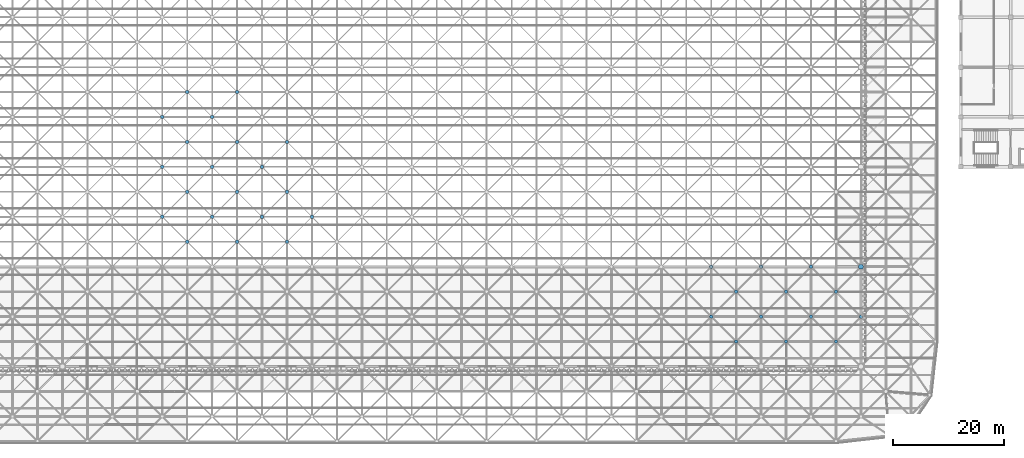
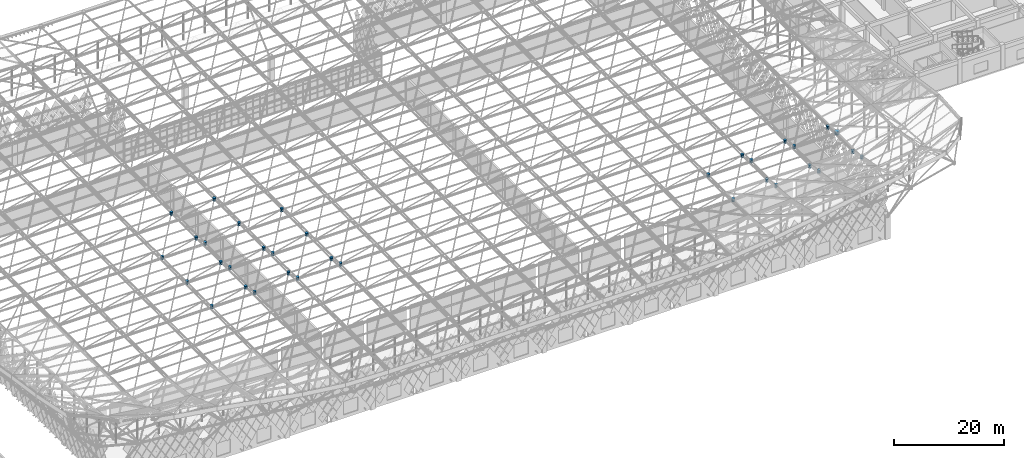
# One storey, part 308 of 437: 34 discrete accessories.
"""IFC4 building model written with IfcOpenShell, lengths in metres."""

import ifcopenshell
import ifcopenshell.guid

model = None  # the IFC model being written
_history = None  # IfcOwnerHistory: only IFC2X3 demands one
_inside = {}  # id of a spatial element -> (the spatial element, [elements in it])
_under = {}  # id of a project, library or spatial element -> (it, [spatial elements below it])
_declared = {}  # id of a project -> (the project, [libraries it declares])
_typed = {}  # id of a type object -> (the type object, [elements of that type])
_made_of = {}  # id of a material, layer set ... -> (it, [elements and type objects made of it])


def new_model(schema):
    """Start an empty IFC model of exactly this schema.

    Asked for "IFC4X3", IfcOpenShell would pick the latest addendum, in which some entities
    have other attributes; the version numbers below select the first issue.
    IFC2X3 requires an IfcOwnerHistory on every rooted entity: one is made here for all.
    """
    global model, _history
    if schema == "IFC4X3":
        model = ifcopenshell.file(schema_version=(4, 3, 0, 0))
    else:
        model = ifcopenshell.file(schema=schema)
    _inside.clear()
    _under.clear()
    _declared.clear()
    _typed.clear()
    _made_of.clear()
    _history = None
    if model.schema == "IFC2X3":
        org = make("IfcOrganization", Name="unknown")
        user = make(
            "IfcPersonAndOrganization",
            ThePerson=make("IfcPerson", FamilyName="unknown"),
            TheOrganization=org,
        )
        app = make(
            "IfcApplication",
            ApplicationDeveloper=org,
            Version="unknown",
            ApplicationFullName="unknown",
            ApplicationIdentifier="unknown",
        )
        _history = make(
            "IfcOwnerHistory",
            OwningUser=user,
            OwningApplication=app,
            ChangeAction="ADDED",
            CreationDate=0,
        )
    return model


def make(cls, **values):
    """One entity of the class cls with the attributes given. An attribute that is None is left unset."""
    return model.create_entity(
        cls, **{name: value for name, value in values.items() if value is not None}
    )


def rooted(cls, **values):
    """An entity with a GlobalId (a new one), such as an element, a storey or a relation."""
    return make(cls, GlobalId=ifcopenshell.guid.new(), OwnerHistory=_history, **values)


def si_unit(unit_type, name, prefix=None):
    """IfcSIUnit, for example si_unit("LENGTHUNIT", "METRE", prefix="MILLI")."""
    return make("IfcSIUnit", UnitType=unit_type, Prefix=prefix, Name=name)


def assignment(units):
    """IfcUnitAssignment: the units of a project."""
    return None if units is None else make("IfcUnitAssignment", Units=units)


def point(xyz):
    """IfcCartesianPoint."""
    return None if xyz is None else make("IfcCartesianPoint", Coordinates=xyz)


def direction(xyz):
    """IfcDirection."""
    return None if xyz is None else make("IfcDirection", DirectionRatios=xyz)


def frame(location, z_axis=None, x_axis=None):
    """IfcAxis2Placement3D, a coordinate frame: its origin and axes. An axis left out is left unset."""
    return make(
        "IfcAxis2Placement3D",
        Location=point(location),
        Axis=direction(z_axis),
        RefDirection=direction(x_axis),
    )


def origin():
    """The frame at (0, 0, 0) with its axes left unset."""
    return frame((0.0, 0.0, 0.0))


def place(relative_to, where):
    """IfcLocalPlacement: puts the frame where relative to a parent placement (None: the world)."""
    return make(
        "IfcLocalPlacement", PlacementRelTo=relative_to, RelativePlacement=where
    )


def context(
    kind, dimensions, precision=None, world=None, true_north=None, identifier=None
):
    """IfcGeometricRepresentationContext, for example the 3D "Model" context."""
    return make(
        "IfcGeometricRepresentationContext",
        ContextIdentifier=identifier,
        ContextType=kind,
        CoordinateSpaceDimension=dimensions,
        Precision=precision,
        WorldCoordinateSystem=world,
        TrueNorth=true_north,
    )


def subcontext(parent, identifier, kind, view, scale=None):
    """IfcGeometricRepresentationSubContext, for example "Body" below "Model"."""
    return make(
        "IfcGeometricRepresentationSubContext",
        ContextIdentifier=identifier,
        ContextType=kind,
        ParentContext=parent,
        TargetScale=scale,
        TargetView=view,
    )


def project(units=None, contexts=None):
    """IfcProject with its units and contexts."""
    return rooted(
        "IfcProject",
        Name="project",
        RepresentationContexts=contexts,
        UnitsInContext=assignment(units),
    )


def spatial(cls, under=None, at=None, **own):
    """A site, building, storey or space (cls), placed at a placement, below another one or the project."""
    s = rooted(cls, ObjectPlacement=at, **own)
    if under is not None:
        _under.setdefault(under.id(), (under, []))[1].append(s)
    return s


def polyline(points):
    """IfcPolyline through the points."""
    return make("IfcPolyline", Points=[point(p) for p in points])


def outline(outer, holes=None, kind="AREA"):
    """IfcArbitraryClosedProfileDef: a profile drawn as a closed curve; with holes, ...WithVoids."""
    if holes is None:
        return make("IfcArbitraryClosedProfileDef", ProfileType=kind, OuterCurve=outer)
    return make(
        "IfcArbitraryProfileDefWithVoids",
        ProfileType=kind,
        OuterCurve=outer,
        InnerCurves=holes,
    )


def extrude(swept, where, along, depth):
    """IfcExtrudedAreaSolid: the profile swept, set in the frame where, extruded along a direction by depth."""
    return make(
        "IfcExtrudedAreaSolid",
        SweptArea=swept,
        Position=where,
        ExtrudedDirection=direction(along),
        Depth=depth,
    )


def shape(context_of_items, identifier, shape_type, items):
    """IfcShapeRepresentation: the items that make up one representation, for example the "Body"."""
    return make(
        "IfcShapeRepresentation",
        ContextOfItems=context_of_items,
        RepresentationIdentifier=identifier,
        RepresentationType=shape_type,
        Items=items,
    )


def material(Name=None, Category=None):
    """IfcMaterial."""
    return make("IfcMaterial", Name=Name, Category=Category)


def made_of(thing, what):
    """Note that an element or type object is made of a material, layer set ...; save() writes the relation."""
    if what is not None:
        _made_of.setdefault(what.id(), (what, []))[1].append(thing)
    return thing


def type_object(cls, material=None, **own):
    """A type object (cls), such as IfcWallType, which elements share."""
    return made_of(rooted(cls, **own), material)


def element(
    cls,
    number,
    at=None,
    inside=None,
    cuts=None,
    type_object=None,
    material=None,
    context=None,
    identifier="Body",
    shape_type=None,
    held_by="IfcProductDefinitionShape",
    body=None,
    shapes=None,
    **own,
):
    """One element of the class cls, such as IfcWall. Its Tag is "e" and its number.

    at: its placement. inside: the storey or other place that contains it. cuts: it is an
    opening in that element (IfcRelVoidsElement). A single representation is given by context,
    identifier, shape_type and body (its items); several are given by shapes. held_by: the class
    of the entity that holds the representations. save() writes the other relations.
    """
    e = rooted(cls, Tag="e%d" % number, ObjectPlacement=at, **own)
    if body is not None:
        shapes = [shape(context, identifier, shape_type, body)]
    if shapes is not None:
        e.Representation = make(held_by, Representations=shapes)
    if inside is not None:
        _inside.setdefault(inside.id(), (inside, []))[1].append(e)
    if cuts is not None:
        rooted(
            "IfcRelVoidsElement", RelatingBuildingElement=cuts, RelatedOpeningElement=e
        )
    if type_object is not None:
        _typed.setdefault(type_object.id(), (type_object, []))[1].append(e)
    return made_of(e, material)


def aggregate(whole, parts):
    """IfcRelAggregates: a whole, such as a stair, and the parts it consists of."""
    return rooted("IfcRelAggregates", RelatingObject=whole, RelatedObjects=parts)


def save(model, path):
    """Write the relations noted so far, then the file.

    IfcRelAggregates (storeys below a building ...), IfcRelContainedInSpatialStructure (elements
    in a storey), IfcRelDefinesByType, IfcRelAssociatesMaterial and IfcRelDeclares: one each for
    every whole, place, type object, material and project.
    """
    for whole, parts in _under.values():
        aggregate(whole, parts)
    for where, things in _inside.values():
        rooted(
            "IfcRelContainedInSpatialStructure",
            RelatedElements=things,
            RelatingStructure=where,
        )
    for kind, things in _typed.values():
        rooted("IfcRelDefinesByType", RelatedObjects=things, RelatingType=kind)
    for what, things in _made_of.values():
        rooted("IfcRelAssociatesMaterial", RelatedObjects=things, RelatingMaterial=what)
    for by, libraries in _declared.values():
        rooted("IfcRelDeclares", RelatingContext=by, RelatedDefinitions=libraries)
    model.write(path)


model = new_model("IFC4")

# Units and contexts
model_context = context("Model", 3, precision=1e-05, world=origin(), true_north=direction((0.0, 1.0)))
body_context = subcontext(model_context, "Body", "Model", "MODEL_VIEW")
ifc_project = project(units=[si_unit("LENGTHUNIT", "METRE"), si_unit("AREAUNIT", "SQUARE_METRE"), si_unit("VOLUMEUNIT", "CUBIC_METRE"), si_unit("PLANEANGLEUNIT", "RADIAN"), si_unit("MASSUNIT", "GRAM", prefix="KILO")], contexts=[model_context])

# Site, building, storey
site_placement = place(None, origin())
site = spatial("IfcSite", under=ifc_project, at=site_placement, CompositionType="ELEMENT")
building_placement = place(site_placement, origin())
building = spatial("IfcBuilding", under=site, at=building_placement, Name="Opaline Strait Convention Centre", CompositionType="ELEMENT")
storey_placement = place(building_placement, frame((0.0, 0.0, 11.5)))
storey = spatial("IfcBuildingStorey", under=building, at=storey_placement, Name="L02", CompositionType="ELEMENT", Elevation=11.5)

# Discrete accessories
ifc_material = material(Name="Cast steel ZG300-500H (300 MPa)", Category="steel")
discrete_accessory_type_1 = type_object("IfcDiscreteAccessoryType", Name="Space frame bearing node hub D900", PredefinedType="USERDEFINED", material=ifc_material)
discrete_accessory_1_placement = place(storey_placement, frame((0.0, 0.0, 12.139892578125)))
element("IfcDiscreteAccessory", 1, at=discrete_accessory_1_placement, inside=storey, type_object=discrete_accessory_type_1, Name="Bottom node 20/4", ObjectType="NODE HUB", PredefinedType="USERDEFINED", context=body_context, shape_type="SweptSolid", body=[
    extrude(outline(polyline([(261.449951171875, 72.089599609375), (261.381591796875, 72.2548828125), (261.2548828125, 72.381591796875), (261.089599609375, 72.449951171875), (260.910400390625, 72.449951171875), (260.7451171875, 72.381591796875), (260.618408203125, 72.2548828125), (260.550048828125, 72.089599609375), (260.550048828125, 71.910400390625), (260.618408203125, 71.7451171875), (260.7451171875, 71.618408203125), (260.910400390625, 71.550048828125), (261.089599609375, 71.550048828125), (261.2548828125, 71.618408203125), (261.381591796875, 71.7451171875), (261.449951171875, 71.910400390625), (261.449951171875, 72.089599609375)])), origin(), (0.0, 0.0, 1.0), 0.72021484375),
])
discrete_accessory_type_2 = type_object("IfcDiscreteAccessoryType", Name="Space frame node hub D600", PredefinedType="USERDEFINED", material=ifc_material)
discrete_accessory_2_placement = place(storey_placement, frame((0.0, 0.0, 17.611572265625)))
element("IfcDiscreteAccessory", 2, at=discrete_accessory_2_placement, inside=storey, type_object=discrete_accessory_type_2, Name="Top node 7/5", ObjectType="NODE HUB", PredefinedType="USERDEFINED", context=body_context, shape_type="SweptSolid", body=[
    extrude(outline(polyline([(139.800048828125, 76.559814453125), (139.75439453125, 76.669921875), (139.669921875, 76.75439453125), (139.559814453125, 76.800048828125), (139.440185546875, 76.800048828125), (139.330078125, 76.75439453125), (139.24560546875, 76.669921875), (139.199951171875, 76.559814453125), (139.199951171875, 76.440185546875), (139.24560546875, 76.330078125), (139.330078125, 76.24560546875), (139.440185546875, 76.199951171875), (139.559814453125, 76.199951171875), (139.669921875, 76.24560546875), (139.75439453125, 76.330078125), (139.800048828125, 76.440185546875), (139.800048828125, 76.559814453125)])), origin(), (0.0, 0.0, 1.0), 0.719970703125),
])
discrete_accessory_3_placement = place(storey_placement, frame((0.0, 0.0, 17.611572265625)))
element("IfcDiscreteAccessory", 3, at=discrete_accessory_3_placement, inside=storey, type_object=discrete_accessory_type_2, Name="Top node 7/6", ObjectType="NODE HUB", PredefinedType="USERDEFINED", context=body_context, shape_type="SweptSolid", body=[
    extrude(outline(polyline([(139.800048828125, 85.559814453125), (139.75439453125, 85.669921875), (139.669921875, 85.75439453125), (139.559814453125, 85.800048828125), (139.440185546875, 85.800048828125), (139.330078125, 85.75439453125), (139.24560546875, 85.669921875), (139.199951171875, 85.559814453125), (139.199951171875, 85.440185546875), (139.24560546875, 85.330078125), (139.330078125, 85.24560546875), (139.440185546875, 85.199951171875), (139.559814453125, 85.199951171875), (139.669921875, 85.24560546875), (139.75439453125, 85.330078125), (139.800048828125, 85.440185546875), (139.800048828125, 85.559814453125)])), origin(), (0.0, 0.0, 1.0), 0.719970703125),
])
discrete_accessory_4_placement = place(storey_placement, frame((0.0, 0.0, 17.611572265625)))
element("IfcDiscreteAccessory", 4, at=discrete_accessory_4_placement, inside=storey, type_object=discrete_accessory_type_2, Name="Top node 7/7", ObjectType="NODE HUB", PredefinedType="USERDEFINED", context=body_context, shape_type="SweptSolid", body=[
    extrude(outline(polyline([(139.800048828125, 94.559814453125), (139.75439453125, 94.669921875), (139.669921875, 94.75439453125), (139.559814453125, 94.800048828125), (139.440185546875, 94.800048828125), (139.330078125, 94.75439453125), (139.24560546875, 94.669921875), (139.199951171875, 94.559814453125), (139.199951171875, 94.440185546875), (139.24560546875, 94.330078125), (139.330078125, 94.24560546875), (139.440185546875, 94.199951171875), (139.559814453125, 94.199951171875), (139.669921875, 94.24560546875), (139.75439453125, 94.330078125), (139.800048828125, 94.440185546875), (139.800048828125, 94.559814453125)])), origin(), (0.0, 0.0, 1.0), 0.719970703125),
])
discrete_accessory_5_placement = place(storey_placement, frame((0.0, 0.0, 17.611572265625)))
element("IfcDiscreteAccessory", 5, at=discrete_accessory_5_placement, inside=storey, type_object=discrete_accessory_type_2, Name="Top node 7/8", ObjectType="NODE HUB", PredefinedType="USERDEFINED", context=body_context, shape_type="SweptSolid", body=[
    extrude(outline(polyline([(139.800048828125, 103.559814453125), (139.75439453125, 103.669921875), (139.669921875, 103.75439453125), (139.559814453125, 103.800048828125), (139.440185546875, 103.800048828125), (139.330078125, 103.75439453125), (139.24560546875, 103.669921875), (139.199951171875, 103.559814453125), (139.199951171875, 103.440185546875), (139.24560546875, 103.330078125), (139.330078125, 103.24560546875), (139.440185546875, 103.199951171875), (139.559814453125, 103.199951171875), (139.669921875, 103.24560546875), (139.75439453125, 103.330078125), (139.800048828125, 103.440185546875), (139.800048828125, 103.559814453125)])), origin(), (0.0, 0.0, 1.0), 0.719970703125),
])
discrete_accessory_6_placement = place(storey_placement, frame((0.0, 0.0, 17.611572265625)))
element("IfcDiscreteAccessory", 6, at=discrete_accessory_6_placement, inside=storey, type_object=discrete_accessory_type_2, Name="Top node 8/5", ObjectType="NODE HUB", PredefinedType="USERDEFINED", context=body_context, shape_type="SweptSolid", body=[
    extrude(outline(polyline([(148.800048828125, 76.559814453125), (148.75439453125, 76.669921875), (148.669921875, 76.75439453125), (148.559814453125, 76.800048828125), (148.440185546875, 76.800048828125), (148.330078125, 76.75439453125), (148.24560546875, 76.669921875), (148.199951171875, 76.559814453125), (148.199951171875, 76.440185546875), (148.24560546875, 76.330078125), (148.330078125, 76.24560546875), (148.440185546875, 76.199951171875), (148.559814453125, 76.199951171875), (148.669921875, 76.24560546875), (148.75439453125, 76.330078125), (148.800048828125, 76.440185546875), (148.800048828125, 76.559814453125)])), origin(), (0.0, 0.0, 1.0), 0.719970703125),
])
discrete_accessory_7_placement = place(storey_placement, frame((0.0, 0.0, 17.611572265625)))
element("IfcDiscreteAccessory", 7, at=discrete_accessory_7_placement, inside=storey, type_object=discrete_accessory_type_2, Name="Top node 8/6", ObjectType="NODE HUB", PredefinedType="USERDEFINED", context=body_context, shape_type="SweptSolid", body=[
    extrude(outline(polyline([(148.800048828125, 85.559814453125), (148.75439453125, 85.669921875), (148.669921875, 85.75439453125), (148.559814453125, 85.800048828125), (148.440185546875, 85.800048828125), (148.330078125, 85.75439453125), (148.24560546875, 85.669921875), (148.199951171875, 85.559814453125), (148.199951171875, 85.440185546875), (148.24560546875, 85.330078125), (148.330078125, 85.24560546875), (148.440185546875, 85.199951171875), (148.559814453125, 85.199951171875), (148.669921875, 85.24560546875), (148.75439453125, 85.330078125), (148.800048828125, 85.440185546875), (148.800048828125, 85.559814453125)])), origin(), (0.0, 0.0, 1.0), 0.719970703125),
])
discrete_accessory_8_placement = place(storey_placement, frame((0.0, 0.0, 17.611572265625)))
element("IfcDiscreteAccessory", 8, at=discrete_accessory_8_placement, inside=storey, type_object=discrete_accessory_type_2, Name="Top node 8/7", ObjectType="NODE HUB", PredefinedType="USERDEFINED", context=body_context, shape_type="SweptSolid", body=[
    extrude(outline(polyline([(148.800048828125, 94.559814453125), (148.75439453125, 94.669921875), (148.669921875, 94.75439453125), (148.559814453125, 94.800048828125), (148.440185546875, 94.800048828125), (148.330078125, 94.75439453125), (148.24560546875, 94.669921875), (148.199951171875, 94.559814453125), (148.199951171875, 94.440185546875), (148.24560546875, 94.330078125), (148.330078125, 94.24560546875), (148.440185546875, 94.199951171875), (148.559814453125, 94.199951171875), (148.669921875, 94.24560546875), (148.75439453125, 94.330078125), (148.800048828125, 94.440185546875), (148.800048828125, 94.559814453125)])), origin(), (0.0, 0.0, 1.0), 0.719970703125),
])
discrete_accessory_9_placement = place(storey_placement, frame((0.0, 0.0, 17.611572265625)))
element("IfcDiscreteAccessory", 9, at=discrete_accessory_9_placement, inside=storey, type_object=discrete_accessory_type_2, Name="Top node 8/8", ObjectType="NODE HUB", PredefinedType="USERDEFINED", context=body_context, shape_type="SweptSolid", body=[
    extrude(outline(polyline([(148.800048828125, 103.559814453125), (148.75439453125, 103.669921875), (148.669921875, 103.75439453125), (148.559814453125, 103.800048828125), (148.440185546875, 103.800048828125), (148.330078125, 103.75439453125), (148.24560546875, 103.669921875), (148.199951171875, 103.559814453125), (148.199951171875, 103.440185546875), (148.24560546875, 103.330078125), (148.330078125, 103.24560546875), (148.440185546875, 103.199951171875), (148.559814453125, 103.199951171875), (148.669921875, 103.24560546875), (148.75439453125, 103.330078125), (148.800048828125, 103.440185546875), (148.800048828125, 103.559814453125)])), origin(), (0.0, 0.0, 1.0), 0.719970703125),
])
discrete_accessory_10_placement = place(storey_placement, frame((0.0, 0.0, 17.611572265625)))
element("IfcDiscreteAccessory", 10, at=discrete_accessory_10_placement, inside=storey, type_object=discrete_accessory_type_2, Name="Top node 9/5", ObjectType="NODE HUB", PredefinedType="USERDEFINED", context=body_context, shape_type="SweptSolid", body=[
    extrude(outline(polyline([(157.800048828125, 76.559814453125), (157.75439453125, 76.669921875), (157.669921875, 76.75439453125), (157.559814453125, 76.800048828125), (157.440185546875, 76.800048828125), (157.330078125, 76.75439453125), (157.24560546875, 76.669921875), (157.199951171875, 76.559814453125), (157.199951171875, 76.440185546875), (157.24560546875, 76.330078125), (157.330078125, 76.24560546875), (157.440185546875, 76.199951171875), (157.559814453125, 76.199951171875), (157.669921875, 76.24560546875), (157.75439453125, 76.330078125), (157.800048828125, 76.440185546875), (157.800048828125, 76.559814453125)])), origin(), (0.0, 0.0, 1.0), 0.719970703125),
])
discrete_accessory_11_placement = place(storey_placement, frame((0.0, 0.0, 17.611572265625)))
element("IfcDiscreteAccessory", 11, at=discrete_accessory_11_placement, inside=storey, type_object=discrete_accessory_type_2, Name="Top node 9/6", ObjectType="NODE HUB", PredefinedType="USERDEFINED", context=body_context, shape_type="SweptSolid", body=[
    extrude(outline(polyline([(157.800048828125, 85.559814453125), (157.75439453125, 85.669921875), (157.669921875, 85.75439453125), (157.559814453125, 85.800048828125), (157.440185546875, 85.800048828125), (157.330078125, 85.75439453125), (157.24560546875, 85.669921875), (157.199951171875, 85.559814453125), (157.199951171875, 85.440185546875), (157.24560546875, 85.330078125), (157.330078125, 85.24560546875), (157.440185546875, 85.199951171875), (157.559814453125, 85.199951171875), (157.669921875, 85.24560546875), (157.75439453125, 85.330078125), (157.800048828125, 85.440185546875), (157.800048828125, 85.559814453125)])), origin(), (0.0, 0.0, 1.0), 0.719970703125),
])
discrete_accessory_12_placement = place(storey_placement, frame((0.0, 0.0, 17.611572265625)))
element("IfcDiscreteAccessory", 12, at=discrete_accessory_12_placement, inside=storey, type_object=discrete_accessory_type_2, Name="Top node 9/7", ObjectType="NODE HUB", PredefinedType="USERDEFINED", context=body_context, shape_type="SweptSolid", body=[
    extrude(outline(polyline([(157.800048828125, 94.559814453125), (157.75439453125, 94.669921875), (157.669921875, 94.75439453125), (157.559814453125, 94.800048828125), (157.440185546875, 94.800048828125), (157.330078125, 94.75439453125), (157.24560546875, 94.669921875), (157.199951171875, 94.559814453125), (157.199951171875, 94.440185546875), (157.24560546875, 94.330078125), (157.330078125, 94.24560546875), (157.440185546875, 94.199951171875), (157.559814453125, 94.199951171875), (157.669921875, 94.24560546875), (157.75439453125, 94.330078125), (157.800048828125, 94.440185546875), (157.800048828125, 94.559814453125)])), origin(), (0.0, 0.0, 1.0), 0.719970703125),
])
discrete_accessory_13_placement = place(storey_placement, frame((0.0, 0.0, 17.611572265625)))
element("IfcDiscreteAccessory", 13, at=discrete_accessory_13_placement, inside=storey, type_object=discrete_accessory_type_2, Name="Top node 18/3", ObjectType="NODE HUB", PredefinedType="USERDEFINED", context=body_context, shape_type="SweptSolid", body=[
    extrude(outline(polyline([(238.800048828125, 58.559814453125), (238.75439453125, 58.669921875), (238.669921875, 58.75439453125), (238.559814453125, 58.800048828125), (238.440185546875, 58.800048828125), (238.330078125, 58.75439453125), (238.24560546875, 58.669921875), (238.199951171875, 58.559814453125), (238.199951171875, 58.440185546875), (238.24560546875, 58.330078125), (238.330078125, 58.24560546875), (238.440185546875, 58.199951171875), (238.559814453125, 58.199951171875), (238.669921875, 58.24560546875), (238.75439453125, 58.330078125), (238.800048828125, 58.440185546875), (238.800048828125, 58.559814453125)])), origin(), (0.0, 0.0, 1.0), 0.719970703125),
])
discrete_accessory_14_placement = place(storey_placement, frame((0.0, 0.0, 17.611572265625)))
element("IfcDiscreteAccessory", 14, at=discrete_accessory_14_placement, inside=storey, type_object=discrete_accessory_type_2, Name="Top node 18/4", ObjectType="NODE HUB", PredefinedType="USERDEFINED", context=body_context, shape_type="SweptSolid", body=[
    extrude(outline(polyline([(238.800048828125, 67.559814453125), (238.75439453125, 67.669921875), (238.669921875, 67.75439453125), (238.559814453125, 67.800048828125), (238.440185546875, 67.800048828125), (238.330078125, 67.75439453125), (238.24560546875, 67.669921875), (238.199951171875, 67.559814453125), (238.199951171875, 67.440185546875), (238.24560546875, 67.330078125), (238.330078125, 67.24560546875), (238.440185546875, 67.199951171875), (238.559814453125, 67.199951171875), (238.669921875, 67.24560546875), (238.75439453125, 67.330078125), (238.800048828125, 67.440185546875), (238.800048828125, 67.559814453125)])), origin(), (0.0, 0.0, 1.0), 0.719970703125),
])
discrete_accessory_15_placement = place(storey_placement, frame((0.0, 0.0, 17.611572265625)))
element("IfcDiscreteAccessory", 15, at=discrete_accessory_15_placement, inside=storey, type_object=discrete_accessory_type_2, Name="Top node 19/3", ObjectType="NODE HUB", PredefinedType="USERDEFINED", context=body_context, shape_type="SweptSolid", body=[
    extrude(outline(polyline([(247.800048828125, 58.559814453125), (247.75439453125, 58.669921875), (247.669921875, 58.75439453125), (247.559814453125, 58.800048828125), (247.440185546875, 58.800048828125), (247.330078125, 58.75439453125), (247.24560546875, 58.669921875), (247.199951171875, 58.559814453125), (247.199951171875, 58.440185546875), (247.24560546875, 58.330078125), (247.330078125, 58.24560546875), (247.440185546875, 58.199951171875), (247.559814453125, 58.199951171875), (247.669921875, 58.24560546875), (247.75439453125, 58.330078125), (247.800048828125, 58.440185546875), (247.800048828125, 58.559814453125)])), origin(), (0.0, 0.0, 1.0), 0.719970703125),
])
discrete_accessory_16_placement = place(storey_placement, frame((0.0, 0.0, 17.611572265625)))
element("IfcDiscreteAccessory", 16, at=discrete_accessory_16_placement, inside=storey, type_object=discrete_accessory_type_2, Name="Top node 19/4", ObjectType="NODE HUB", PredefinedType="USERDEFINED", context=body_context, shape_type="SweptSolid", body=[
    extrude(outline(polyline([(247.800048828125, 67.559814453125), (247.75439453125, 67.669921875), (247.669921875, 67.75439453125), (247.559814453125, 67.800048828125), (247.440185546875, 67.800048828125), (247.330078125, 67.75439453125), (247.24560546875, 67.669921875), (247.199951171875, 67.559814453125), (247.199951171875, 67.440185546875), (247.24560546875, 67.330078125), (247.330078125, 67.24560546875), (247.440185546875, 67.199951171875), (247.559814453125, 67.199951171875), (247.669921875, 67.24560546875), (247.75439453125, 67.330078125), (247.800048828125, 67.440185546875), (247.800048828125, 67.559814453125)])), origin(), (0.0, 0.0, 1.0), 0.719970703125),
])
discrete_accessory_17_placement = place(storey_placement, frame((0.0, 0.0, 17.611572265625)))
element("IfcDiscreteAccessory", 17, at=discrete_accessory_17_placement, inside=storey, type_object=discrete_accessory_type_2, Name="Top node 20/3", ObjectType="NODE HUB", PredefinedType="USERDEFINED", context=body_context, shape_type="SweptSolid", body=[
    extrude(outline(polyline([(256.800048828125, 58.559814453125), (256.75439453125, 58.669921875), (256.669921875, 58.75439453125), (256.559814453125, 58.800048828125), (256.440185546875, 58.800048828125), (256.330078125, 58.75439453125), (256.24560546875, 58.669921875), (256.199951171875, 58.559814453125), (256.199951171875, 58.440185546875), (256.24560546875, 58.330078125), (256.330078125, 58.24560546875), (256.440185546875, 58.199951171875), (256.559814453125, 58.199951171875), (256.669921875, 58.24560546875), (256.75439453125, 58.330078125), (256.800048828125, 58.440185546875), (256.800048828125, 58.559814453125)])), origin(), (0.0, 0.0, 1.0), 0.719970703125),
])
discrete_accessory_18_placement = place(storey_placement, frame((0.0, 0.0, 17.611572265625)))
element("IfcDiscreteAccessory", 18, at=discrete_accessory_18_placement, inside=storey, type_object=discrete_accessory_type_2, Name="Top node 20/4", ObjectType="NODE HUB", PredefinedType="USERDEFINED", context=body_context, shape_type="SweptSolid", body=[
    extrude(outline(polyline([(256.800048828125, 67.559814453125), (256.75439453125, 67.669921875), (256.669921875, 67.75439453125), (256.559814453125, 67.800048828125), (256.440185546875, 67.800048828125), (256.330078125, 67.75439453125), (256.24560546875, 67.669921875), (256.199951171875, 67.559814453125), (256.199951171875, 67.440185546875), (256.24560546875, 67.330078125), (256.330078125, 67.24560546875), (256.440185546875, 67.199951171875), (256.559814453125, 67.199951171875), (256.669921875, 67.24560546875), (256.75439453125, 67.330078125), (256.800048828125, 67.440185546875), (256.800048828125, 67.559814453125)])), origin(), (0.0, 0.0, 1.0), 0.719970703125),
])
discrete_accessory_19_placement = place(storey_placement, frame((0.0, 0.0, 12.139892578125)))
element("IfcDiscreteAccessory", 19, at=discrete_accessory_19_placement, inside=storey, type_object=discrete_accessory_type_2, Name="Bottom node 6/5", ObjectType="NODE HUB", PredefinedType="USERDEFINED", context=body_context, shape_type="SweptSolid", body=[
    extrude(outline(polyline([(135.300048828125, 81.059814453125), (135.25439453125, 81.169921875), (135.169921875, 81.25439453125), (135.059814453125, 81.300048828125), (134.940185546875, 81.300048828125), (134.830078125, 81.25439453125), (134.74560546875, 81.169921875), (134.699951171875, 81.059814453125), (134.699951171875, 80.940185546875), (134.74560546875, 80.830078125), (134.830078125, 80.74560546875), (134.940185546875, 80.699951171875), (135.059814453125, 80.699951171875), (135.169921875, 80.74560546875), (135.25439453125, 80.830078125), (135.300048828125, 80.940185546875), (135.300048828125, 81.059814453125)])), origin(), (0.0, 0.0, 1.0), 0.72021484375),
])
discrete_accessory_20_placement = place(storey_placement, frame((0.0, 0.0, 12.139892578125)))
element("IfcDiscreteAccessory", 20, at=discrete_accessory_20_placement, inside=storey, type_object=discrete_accessory_type_2, Name="Bottom node 6/6", ObjectType="NODE HUB", PredefinedType="USERDEFINED", context=body_context, shape_type="SweptSolid", body=[
    extrude(outline(polyline([(135.300048828125, 90.059814453125), (135.25439453125, 90.169921875), (135.169921875, 90.25439453125), (135.059814453125, 90.300048828125), (134.940185546875, 90.300048828125), (134.830078125, 90.25439453125), (134.74560546875, 90.169921875), (134.699951171875, 90.059814453125), (134.699951171875, 89.940185546875), (134.74560546875, 89.830078125), (134.830078125, 89.74560546875), (134.940185546875, 89.699951171875), (135.059814453125, 89.699951171875), (135.169921875, 89.74560546875), (135.25439453125, 89.830078125), (135.300048828125, 89.940185546875), (135.300048828125, 90.059814453125)])), origin(), (0.0, 0.0, 1.0), 0.72021484375),
])
discrete_accessory_21_placement = place(storey_placement, frame((0.0, 0.0, 12.139892578125)))
element("IfcDiscreteAccessory", 21, at=discrete_accessory_21_placement, inside=storey, type_object=discrete_accessory_type_2, Name="Bottom node 6/7", ObjectType="NODE HUB", PredefinedType="USERDEFINED", context=body_context, shape_type="SweptSolid", body=[
    extrude(outline(polyline([(135.300048828125, 99.059814453125), (135.25439453125, 99.169921875), (135.169921875, 99.25439453125), (135.059814453125, 99.300048828125), (134.940185546875, 99.300048828125), (134.830078125, 99.25439453125), (134.74560546875, 99.169921875), (134.699951171875, 99.059814453125), (134.699951171875, 98.940185546875), (134.74560546875, 98.830078125), (134.830078125, 98.74560546875), (134.940185546875, 98.699951171875), (135.059814453125, 98.699951171875), (135.169921875, 98.74560546875), (135.25439453125, 98.830078125), (135.300048828125, 98.940185546875), (135.300048828125, 99.059814453125)])), origin(), (0.0, 0.0, 1.0), 0.72021484375),
])
discrete_accessory_22_placement = place(storey_placement, frame((0.0, 0.0, 12.139892578125)))
element("IfcDiscreteAccessory", 22, at=discrete_accessory_22_placement, inside=storey, type_object=discrete_accessory_type_2, Name="Bottom node 7/5", ObjectType="NODE HUB", PredefinedType="USERDEFINED", context=body_context, shape_type="SweptSolid", body=[
    extrude(outline(polyline([(144.300048828125, 81.059814453125), (144.25439453125, 81.169921875), (144.169921875, 81.25439453125), (144.059814453125, 81.300048828125), (143.940185546875, 81.300048828125), (143.830078125, 81.25439453125), (143.74560546875, 81.169921875), (143.699951171875, 81.059814453125), (143.699951171875, 80.940185546875), (143.74560546875, 80.830078125), (143.830078125, 80.74560546875), (143.940185546875, 80.699951171875), (144.059814453125, 80.699951171875), (144.169921875, 80.74560546875), (144.25439453125, 80.830078125), (144.300048828125, 80.940185546875), (144.300048828125, 81.059814453125)])), origin(), (0.0, 0.0, 1.0), 0.72021484375),
])
discrete_accessory_23_placement = place(storey_placement, frame((0.0, 0.0, 12.139892578125)))
element("IfcDiscreteAccessory", 23, at=discrete_accessory_23_placement, inside=storey, type_object=discrete_accessory_type_2, Name="Bottom node 7/6", ObjectType="NODE HUB", PredefinedType="USERDEFINED", context=body_context, shape_type="SweptSolid", body=[
    extrude(outline(polyline([(144.300048828125, 90.059814453125), (144.25439453125, 90.169921875), (144.169921875, 90.25439453125), (144.059814453125, 90.300048828125), (143.940185546875, 90.300048828125), (143.830078125, 90.25439453125), (143.74560546875, 90.169921875), (143.699951171875, 90.059814453125), (143.699951171875, 89.940185546875), (143.74560546875, 89.830078125), (143.830078125, 89.74560546875), (143.940185546875, 89.699951171875), (144.059814453125, 89.699951171875), (144.169921875, 89.74560546875), (144.25439453125, 89.830078125), (144.300048828125, 89.940185546875), (144.300048828125, 90.059814453125)])), origin(), (0.0, 0.0, 1.0), 0.72021484375),
])
discrete_accessory_24_placement = place(storey_placement, frame((0.0, 0.0, 12.139892578125)))
element("IfcDiscreteAccessory", 24, at=discrete_accessory_24_placement, inside=storey, type_object=discrete_accessory_type_2, Name="Bottom node 7/7", ObjectType="NODE HUB", PredefinedType="USERDEFINED", context=body_context, shape_type="SweptSolid", body=[
    extrude(outline(polyline([(144.300048828125, 99.059814453125), (144.25439453125, 99.169921875), (144.169921875, 99.25439453125), (144.059814453125, 99.300048828125), (143.940185546875, 99.300048828125), (143.830078125, 99.25439453125), (143.74560546875, 99.169921875), (143.699951171875, 99.059814453125), (143.699951171875, 98.940185546875), (143.74560546875, 98.830078125), (143.830078125, 98.74560546875), (143.940185546875, 98.699951171875), (144.059814453125, 98.699951171875), (144.169921875, 98.74560546875), (144.25439453125, 98.830078125), (144.300048828125, 98.940185546875), (144.300048828125, 99.059814453125)])), origin(), (0.0, 0.0, 1.0), 0.72021484375),
])
discrete_accessory_25_placement = place(storey_placement, frame((0.0, 0.0, 12.139892578125)))
element("IfcDiscreteAccessory", 25, at=discrete_accessory_25_placement, inside=storey, type_object=discrete_accessory_type_2, Name="Bottom node 8/5", ObjectType="NODE HUB", PredefinedType="USERDEFINED", context=body_context, shape_type="SweptSolid", body=[
    extrude(outline(polyline([(153.300048828125, 81.059814453125), (153.25439453125, 81.169921875), (153.169921875, 81.25439453125), (153.059814453125, 81.300048828125), (152.940185546875, 81.300048828125), (152.830078125, 81.25439453125), (152.74560546875, 81.169921875), (152.699951171875, 81.059814453125), (152.699951171875, 80.940185546875), (152.74560546875, 80.830078125), (152.830078125, 80.74560546875), (152.940185546875, 80.699951171875), (153.059814453125, 80.699951171875), (153.169921875, 80.74560546875), (153.25439453125, 80.830078125), (153.300048828125, 80.940185546875), (153.300048828125, 81.059814453125)])), origin(), (0.0, 0.0, 1.0), 0.72021484375),
])
discrete_accessory_26_placement = place(storey_placement, frame((0.0, 0.0, 12.139892578125)))
element("IfcDiscreteAccessory", 26, at=discrete_accessory_26_placement, inside=storey, type_object=discrete_accessory_type_2, Name="Bottom node 8/6", ObjectType="NODE HUB", PredefinedType="USERDEFINED", context=body_context, shape_type="SweptSolid", body=[
    extrude(outline(polyline([(153.300048828125, 90.059814453125), (153.25439453125, 90.169921875), (153.169921875, 90.25439453125), (153.059814453125, 90.300048828125), (152.940185546875, 90.300048828125), (152.830078125, 90.25439453125), (152.74560546875, 90.169921875), (152.699951171875, 90.059814453125), (152.699951171875, 89.940185546875), (152.74560546875, 89.830078125), (152.830078125, 89.74560546875), (152.940185546875, 89.699951171875), (153.059814453125, 89.699951171875), (153.169921875, 89.74560546875), (153.25439453125, 89.830078125), (153.300048828125, 89.940185546875), (153.300048828125, 90.059814453125)])), origin(), (0.0, 0.0, 1.0), 0.72021484375),
])
discrete_accessory_27_placement = place(storey_placement, frame((0.0, 0.0, 12.139892578125)))
element("IfcDiscreteAccessory", 27, at=discrete_accessory_27_placement, inside=storey, type_object=discrete_accessory_type_2, Name="Bottom node 9/5", ObjectType="NODE HUB", PredefinedType="USERDEFINED", context=body_context, shape_type="SweptSolid", body=[
    extrude(outline(polyline([(162.300048828125, 81.059814453125), (162.25439453125, 81.169921875), (162.169921875, 81.25439453125), (162.059814453125, 81.300048828125), (161.940185546875, 81.300048828125), (161.830078125, 81.25439453125), (161.74560546875, 81.169921875), (161.699951171875, 81.059814453125), (161.699951171875, 80.940185546875), (161.74560546875, 80.830078125), (161.830078125, 80.74560546875), (161.940185546875, 80.699951171875), (162.059814453125, 80.699951171875), (162.169921875, 80.74560546875), (162.25439453125, 80.830078125), (162.300048828125, 80.940185546875), (162.300048828125, 81.059814453125)])), origin(), (0.0, 0.0, 1.0), 0.72021484375),
])
discrete_accessory_28_placement = place(storey_placement, frame((0.0, 0.0, 12.139892578125)))
element("IfcDiscreteAccessory", 28, at=discrete_accessory_28_placement, inside=storey, type_object=discrete_accessory_type_2, Name="Bottom node 17/3", ObjectType="NODE HUB", PredefinedType="USERDEFINED", context=body_context, shape_type="SweptSolid", body=[
    extrude(outline(polyline([(234.300048828125, 63.059814453125), (234.25439453125, 63.169921875), (234.169921875, 63.25439453125), (234.059814453125, 63.300048828125), (233.940185546875, 63.300048828125), (233.830078125, 63.25439453125), (233.74560546875, 63.169921875), (233.699951171875, 63.059814453125), (233.699951171875, 62.940185546875), (233.74560546875, 62.830078125), (233.830078125, 62.74560546875), (233.940185546875, 62.699951171875), (234.059814453125, 62.699951171875), (234.169921875, 62.74560546875), (234.25439453125, 62.830078125), (234.300048828125, 62.940185546875), (234.300048828125, 63.059814453125)])), origin(), (0.0, 0.0, 1.0), 0.72021484375),
])
discrete_accessory_29_placement = place(storey_placement, frame((0.0, 0.0, 12.139892578125)))
element("IfcDiscreteAccessory", 29, at=discrete_accessory_29_placement, inside=storey, type_object=discrete_accessory_type_2, Name="Bottom node 17/4", ObjectType="NODE HUB", PredefinedType="USERDEFINED", context=body_context, shape_type="SweptSolid", body=[
    extrude(outline(polyline([(234.300048828125, 72.059814453125), (234.25439453125, 72.169921875), (234.169921875, 72.25439453125), (234.059814453125, 72.300048828125), (233.940185546875, 72.300048828125), (233.830078125, 72.25439453125), (233.74560546875, 72.169921875), (233.699951171875, 72.059814453125), (233.699951171875, 71.940185546875), (233.74560546875, 71.830078125), (233.830078125, 71.74560546875), (233.940185546875, 71.699951171875), (234.059814453125, 71.699951171875), (234.169921875, 71.74560546875), (234.25439453125, 71.830078125), (234.300048828125, 71.940185546875), (234.300048828125, 72.059814453125)])), origin(), (0.0, 0.0, 1.0), 0.72021484375),
])
discrete_accessory_30_placement = place(storey_placement, frame((0.0, 0.0, 12.139892578125)))
element("IfcDiscreteAccessory", 30, at=discrete_accessory_30_placement, inside=storey, type_object=discrete_accessory_type_2, Name="Bottom node 18/3", ObjectType="NODE HUB", PredefinedType="USERDEFINED", context=body_context, shape_type="SweptSolid", body=[
    extrude(outline(polyline([(243.300048828125, 63.059814453125), (243.25439453125, 63.169921875), (243.169921875, 63.25439453125), (243.059814453125, 63.300048828125), (242.940185546875, 63.300048828125), (242.830078125, 63.25439453125), (242.74560546875, 63.169921875), (242.699951171875, 63.059814453125), (242.699951171875, 62.940185546875), (242.74560546875, 62.830078125), (242.830078125, 62.74560546875), (242.940185546875, 62.699951171875), (243.059814453125, 62.699951171875), (243.169921875, 62.74560546875), (243.25439453125, 62.830078125), (243.300048828125, 62.940185546875), (243.300048828125, 63.059814453125)])), origin(), (0.0, 0.0, 1.0), 0.72021484375),
])
discrete_accessory_31_placement = place(storey_placement, frame((0.0, 0.0, 12.139892578125)))
element("IfcDiscreteAccessory", 31, at=discrete_accessory_31_placement, inside=storey, type_object=discrete_accessory_type_2, Name="Bottom node 18/4", ObjectType="NODE HUB", PredefinedType="USERDEFINED", context=body_context, shape_type="SweptSolid", body=[
    extrude(outline(polyline([(243.300048828125, 72.059814453125), (243.25439453125, 72.169921875), (243.169921875, 72.25439453125), (243.059814453125, 72.300048828125), (242.940185546875, 72.300048828125), (242.830078125, 72.25439453125), (242.74560546875, 72.169921875), (242.699951171875, 72.059814453125), (242.699951171875, 71.940185546875), (242.74560546875, 71.830078125), (242.830078125, 71.74560546875), (242.940185546875, 71.699951171875), (243.059814453125, 71.699951171875), (243.169921875, 71.74560546875), (243.25439453125, 71.830078125), (243.300048828125, 71.940185546875), (243.300048828125, 72.059814453125)])), origin(), (0.0, 0.0, 1.0), 0.72021484375),
])
discrete_accessory_32_placement = place(storey_placement, frame((0.0, 0.0, 12.139892578125)))
element("IfcDiscreteAccessory", 32, at=discrete_accessory_32_placement, inside=storey, type_object=discrete_accessory_type_2, Name="Bottom node 19/3", ObjectType="NODE HUB", PredefinedType="USERDEFINED", context=body_context, shape_type="SweptSolid", body=[
    extrude(outline(polyline([(252.300048828125, 63.059814453125), (252.25439453125, 63.169921875), (252.169921875, 63.25439453125), (252.059814453125, 63.300048828125), (251.940185546875, 63.300048828125), (251.830078125, 63.25439453125), (251.74560546875, 63.169921875), (251.699951171875, 63.059814453125), (251.699951171875, 62.940185546875), (251.74560546875, 62.830078125), (251.830078125, 62.74560546875), (251.940185546875, 62.699951171875), (252.059814453125, 62.699951171875), (252.169921875, 62.74560546875), (252.25439453125, 62.830078125), (252.300048828125, 62.940185546875), (252.300048828125, 63.059814453125)])), origin(), (0.0, 0.0, 1.0), 0.72021484375),
])
discrete_accessory_33_placement = place(storey_placement, frame((0.0, 0.0, 12.139892578125)))
element("IfcDiscreteAccessory", 33, at=discrete_accessory_33_placement, inside=storey, type_object=discrete_accessory_type_2, Name="Bottom node 19/4", ObjectType="NODE HUB", PredefinedType="USERDEFINED", context=body_context, shape_type="SweptSolid", body=[
    extrude(outline(polyline([(252.300048828125, 72.059814453125), (252.25439453125, 72.169921875), (252.169921875, 72.25439453125), (252.059814453125, 72.300048828125), (251.940185546875, 72.300048828125), (251.830078125, 72.25439453125), (251.74560546875, 72.169921875), (251.699951171875, 72.059814453125), (251.699951171875, 71.940185546875), (251.74560546875, 71.830078125), (251.830078125, 71.74560546875), (251.940185546875, 71.699951171875), (252.059814453125, 71.699951171875), (252.169921875, 71.74560546875), (252.25439453125, 71.830078125), (252.300048828125, 71.940185546875), (252.300048828125, 72.059814453125)])), origin(), (0.0, 0.0, 1.0), 0.72021484375),
])
discrete_accessory_34_placement = place(storey_placement, frame((0.0, 0.0, 12.139892578125)))
element("IfcDiscreteAccessory", 34, at=discrete_accessory_34_placement, inside=storey, type_object=discrete_accessory_type_2, Name="Bottom node 20/3", ObjectType="NODE HUB", PredefinedType="USERDEFINED", context=body_context, shape_type="SweptSolid", body=[
    extrude(outline(polyline([(261.300048828125, 63.059814453125), (261.25439453125, 63.169921875), (261.169921875, 63.25439453125), (261.059814453125, 63.300048828125), (260.940185546875, 63.300048828125), (260.830078125, 63.25439453125), (260.74560546875, 63.169921875), (260.699951171875, 63.059814453125), (260.699951171875, 62.940185546875), (260.74560546875, 62.830078125), (260.830078125, 62.74560546875), (260.940185546875, 62.699951171875), (261.059814453125, 62.699951171875), (261.169921875, 62.74560546875), (261.25439453125, 62.830078125), (261.300048828125, 62.940185546875), (261.300048828125, 63.059814453125)])), origin(), (0.0, 0.0, 1.0), 0.72021484375),
])

save(model, "model.ifc")
